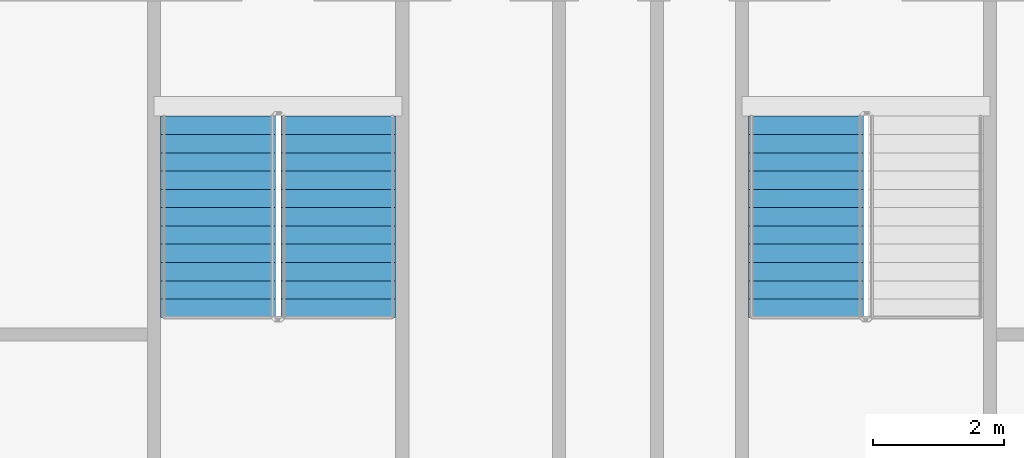
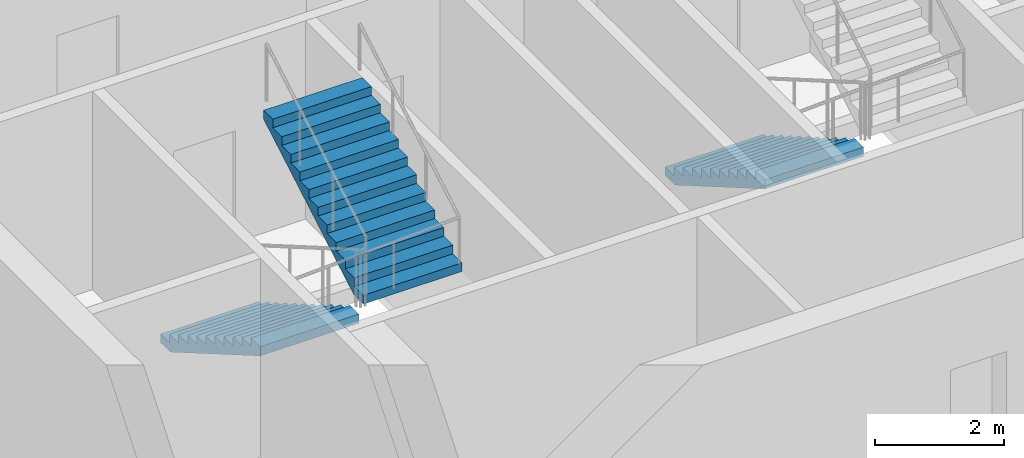
# One storey, part 16 of 23: 3 stair flights, 2 elements without a shape of their own.
"""IFC4 building model written with IfcOpenShell, lengths in metres."""

from ifc_helpers import new_model, si_unit, direction, frame, origin, place, context, subcontext, project, spatial, faceted_brep, material, type_object, element, aggregate, save


model = new_model("IFC4")

# Units and contexts
model_context = context("Model", 3, precision=1e-05, world=origin(), true_north=direction((0.0, 1.0)))
body_context = subcontext(model_context, "Body", "Model", "MODEL_VIEW")
ifc_project = project(units=[si_unit("LENGTHUNIT", "METRE"), si_unit("AREAUNIT", "SQUARE_METRE"), si_unit("VOLUMEUNIT", "CUBIC_METRE"), si_unit("PLANEANGLEUNIT", "RADIAN"), si_unit("MASSUNIT", "GRAM", prefix="KILO")], contexts=[model_context])

# Site, building, storey
site_placement = place(None, origin())
site = spatial("IfcSite", under=ifc_project, at=site_placement, CompositionType="ELEMENT")
building_placement = place(site_placement, origin())
building = spatial("IfcBuilding", under=site, at=building_placement, Name="Tarsis Ring Headquarters", CompositionType="ELEMENT")
storey_placement = place(building_placement, frame((0.0, 0.0, 323.60009765625)))
storey = spatial("IfcBuildingStorey", under=building, at=storey_placement, Name="L76", CompositionType="ELEMENT", Elevation=323.60009765625)

# Stair, stair flights
ifc_material_1 = material(Name="Core stair 1760")
stair_type = type_object("IfcStairType", Name="Core stair 1760", PredefinedType="HALF_TURN_STAIR", material=ifc_material_1)
stair_1_placement = place(storey_placement, origin())
stair_1 = element("IfcStair", 1, at=stair_1_placement, inside=storey, type_object=stair_type, Name="L76 Exit stair C", PredefinedType="HALF_TURN_STAIR")
ifc_material_2 = material(Name="Concrete C40/50", Category="concrete")
stair_flight_type = type_object("IfcStairFlightType", Name="Core stair flight 1760", PredefinedType="STRAIGHT", material=ifc_material_2)
stair_flight_1_placement = place(storey_placement, frame((-5.419921875, -3.659912109375, 0.0), z_axis=(0.0, 0.0, 1.0), x_axis=(0.0, -1.0, 0.0)))
stair_flight_1 = element("IfcStairFlight", 2, at=stair_flight_1_placement, type_object=stair_flight_type, Name="Stair ST3 flight 1", NumberOfRisers=12, NumberOfTreads=11, PredefinedType="STRAIGHT", RiserHeight=0.1625, TreadLength=0.28, context=body_context, shape_type="Brep", body=[
    faceted_brep([(0.0, 0.8798828125, 0.0), (0.0, 0.8798828125, 0.16259765625), (0.280029296875, 0.8798828125, 0.16259765625), (0.280029296875, 0.8798828125, 0.324951171875), (0.56005859375, 0.8798828125, 0.324951171875), (0.56005859375, 0.8798828125, 0.487548828125), (0.840087890625, 0.8798828125, 0.487548828125), (0.840087890625, 0.8798828125, 0.64990234375), (1.1201171875, 0.8798828125, 0.64990234375), (1.1201171875, 0.8798828125, 0.8125), (1.39990234375, 0.8798828125, 0.8125), (1.39990234375, 0.8798828125, 0.97509765625), (1.679931640625, 0.8798828125, 0.97509765625), (1.679931640625, 0.8798828125, 1.137451171875), (1.9599609375, 0.8798828125, 1.137451171875), (1.9599609375, 0.8798828125, 1.300048828125), (2.239990234375, 0.8798828125, 1.300048828125), (2.239990234375, 0.8798828125, 1.46240234375), (2.52001953125, 0.8798828125, 1.46240234375), (2.52001953125, 0.8798828125, 1.625), (2.800048828125, 0.8798828125, 1.625), (2.800048828125, 0.8798828125, 1.78759765625), (3.080078125, 0.8798828125, 1.78759765625), (3.080078125, 0.8798828125, 1.6142578125), (0.298583984375, 0.8798828125, 0.0), (0.298583984375, -0.8798828125, 0.0), (3.080078125, -0.8798828125, 1.6142578125), (3.080078125, -0.8798828125, 1.78759765625), (2.800048828125, -0.8798828125, 1.78759765625), (2.800048828125, -0.8798828125, 1.625), (2.52001953125, -0.8798828125, 1.625), (2.52001953125, -0.8798828125, 1.46240234375), (2.239990234375, -0.8798828125, 1.46240234375), (2.239990234375, -0.8798828125, 1.300048828125), (1.9599609375, -0.8798828125, 1.300048828125), (1.9599609375, -0.8798828125, 1.137451171875), (1.679931640625, -0.8798828125, 1.137451171875), (1.679931640625, -0.8798828125, 0.97509765625), (1.39990234375, -0.8798828125, 0.97509765625), (1.39990234375, -0.8798828125, 0.8125), (1.1201171875, -0.8798828125, 0.8125), (1.1201171875, -0.8798828125, 0.64990234375), (0.840087890625, -0.8798828125, 0.64990234375), (0.840087890625, -0.8798828125, 0.487548828125), (0.56005859375, -0.8798828125, 0.487548828125), (0.56005859375, -0.8798828125, 0.324951171875), (0.280029296875, -0.8798828125, 0.324951171875), (0.280029296875, -0.8798828125, 0.16259765625), (0.0, -0.8798828125, 0.16259765625), (0.0, -0.8798828125, 0.0), (0.0, -0.43994140625, 0.16259765625), (0.0, -0.43994140625, 0.0), (0.0, 0.0, 0.16259765625), (0.0, 0.0, 0.0), (0.0, 0.43994140625, 0.16259765625), (0.0, 0.43994140625, 0.0), (0.280029296875, -0.43994140625, 0.16259765625), (0.280029296875, 0.0, 0.16259765625), (0.280029296875, 0.43994140625, 0.16259765625), (0.280029296875, -0.43994140625, 0.324951171875), (0.280029296875, 0.0, 0.324951171875), (0.280029296875, 0.43994140625, 0.324951171875), (0.56005859375, -0.43994140625, 0.324951171875), (0.56005859375, 0.0, 0.324951171875), (0.56005859375, 0.43994140625, 0.324951171875), (0.56005859375, -0.43994140625, 0.487548828125), (0.56005859375, 0.0, 0.487548828125), (0.56005859375, 0.43994140625, 0.487548828125), (0.840087890625, -0.43994140625, 0.487548828125), (0.840087890625, 0.0, 0.487548828125), (0.840087890625, 0.43994140625, 0.487548828125), (0.840087890625, -0.43994140625, 0.64990234375), (0.840087890625, 0.0, 0.64990234375), (0.840087890625, 0.43994140625, 0.64990234375), (1.1201171875, -0.43994140625, 0.64990234375), (1.1201171875, 0.0, 0.64990234375), (1.1201171875, 0.43994140625, 0.64990234375), (1.1201171875, -0.43994140625, 0.8125), (1.1201171875, 0.0, 0.8125), (1.1201171875, 0.43994140625, 0.8125), (1.39990234375, -0.43994140625, 0.8125), (1.39990234375, 0.0, 0.8125), (1.39990234375, 0.43994140625, 0.8125), (1.39990234375, -0.43994140625, 0.97509765625), (1.39990234375, 0.0, 0.97509765625), (1.39990234375, 0.43994140625, 0.97509765625), (1.679931640625, -0.43994140625, 0.97509765625), (1.679931640625, 0.0, 0.97509765625), (1.679931640625, 0.43994140625, 0.97509765625), (1.679931640625, -0.43994140625, 1.137451171875), (1.679931640625, 0.0, 1.137451171875), (1.679931640625, 0.43994140625, 1.137451171875), (1.9599609375, -0.43994140625, 1.137451171875), (1.9599609375, 0.0, 1.137451171875), (1.9599609375, 0.43994140625, 1.137451171875), (1.9599609375, -0.43994140625, 1.300048828125), (1.9599609375, 0.0, 1.300048828125), (1.9599609375, 0.43994140625, 1.300048828125), (2.239990234375, -0.43994140625, 1.300048828125), (2.239990234375, 0.0, 1.300048828125), (2.239990234375, 0.43994140625, 1.300048828125), (2.239990234375, -0.43994140625, 1.46240234375), (2.239990234375, 0.0, 1.46240234375), (2.239990234375, 0.43994140625, 1.46240234375), (2.52001953125, -0.43994140625, 1.46240234375), (2.52001953125, 0.0, 1.46240234375), (2.52001953125, 0.43994140625, 1.46240234375), (2.52001953125, -0.43994140625, 1.625), (2.52001953125, 0.0, 1.625), (2.52001953125, 0.43994140625, 1.625), (2.800048828125, -0.43994140625, 1.625), (2.800048828125, 0.0, 1.625), (2.800048828125, 0.43994140625, 1.625), (2.800048828125, -0.43994140625, 1.78759765625), (2.800048828125, 0.0, 1.78759765625), (2.800048828125, 0.43994140625, 1.78759765625), (3.080078125, -0.43994140625, 1.78759765625), (3.080078125, 0.0, 1.78759765625), (3.080078125, 0.43994140625, 1.78759765625), (3.080078125, -0.43994140625, 1.6142578125), (3.080078125, 0.0, 1.6142578125), (3.080078125, 0.43994140625, 1.6142578125), (0.298583984375, -0.43994140625, 0.0), (0.298583984375, 0.0, 0.0), (0.298583984375, 0.43994140625, 0.0)], [[[0, 1, 2, 3, 4, 5, 6, 7, 8, 9, 10, 11, 12, 13, 14, 15, 16, 17, 18, 19, 20, 21, 22, 23, 24]], [[25, 26, 27, 28, 29, 30, 31, 32, 33, 34, 35, 36, 37, 38, 39, 40, 41, 42, 43, 44, 45, 46, 47, 48, 49]], [[49, 48, 50, 51]], [[51, 50, 52, 53]], [[53, 52, 54, 55]], [[55, 54, 1, 0]], [[48, 47, 56, 50]], [[50, 56, 57, 52]], [[52, 57, 58, 54]], [[54, 58, 2, 1]], [[47, 46, 59, 56]], [[56, 59, 60, 57]], [[57, 60, 61, 58]], [[58, 61, 3, 2]], [[46, 45, 62, 59]], [[59, 62, 63, 60]], [[60, 63, 64, 61]], [[61, 64, 4, 3]], [[45, 44, 65, 62]], [[62, 65, 66, 63]], [[63, 66, 67, 64]], [[64, 67, 5, 4]], [[44, 43, 68, 65]], [[65, 68, 69, 66]], [[66, 69, 70, 67]], [[67, 70, 6, 5]], [[43, 42, 71, 68]], [[68, 71, 72, 69]], [[69, 72, 73, 70]], [[70, 73, 7, 6]], [[42, 41, 74, 71]], [[71, 74, 75, 72]], [[72, 75, 76, 73]], [[73, 76, 8, 7]], [[41, 40, 77, 74]], [[74, 77, 78, 75]], [[75, 78, 79, 76]], [[76, 79, 9, 8]], [[40, 39, 80, 77]], [[77, 80, 81, 78]], [[78, 81, 82, 79]], [[79, 82, 10, 9]], [[39, 38, 83, 80]], [[80, 83, 84, 81]], [[81, 84, 85, 82]], [[82, 85, 11, 10]], [[38, 37, 86, 83]], [[83, 86, 87, 84]], [[84, 87, 88, 85]], [[85, 88, 12, 11]], [[37, 36, 89, 86]], [[86, 89, 90, 87]], [[87, 90, 91, 88]], [[88, 91, 13, 12]], [[36, 35, 92, 89]], [[89, 92, 93, 90]], [[90, 93, 94, 91]], [[91, 94, 14, 13]], [[35, 34, 95, 92]], [[92, 95, 96, 93]], [[93, 96, 97, 94]], [[94, 97, 15, 14]], [[34, 33, 98, 95]], [[95, 98, 99, 96]], [[96, 99, 100, 97]], [[97, 100, 16, 15]], [[33, 32, 101, 98]], [[98, 101, 102, 99]], [[99, 102, 103, 100]], [[100, 103, 17, 16]], [[32, 31, 104, 101]], [[101, 104, 105, 102]], [[102, 105, 106, 103]], [[103, 106, 18, 17]], [[31, 30, 107, 104]], [[104, 107, 108, 105]], [[105, 108, 109, 106]], [[106, 109, 19, 18]], [[30, 29, 110, 107]], [[107, 110, 111, 108]], [[108, 111, 112, 109]], [[109, 112, 20, 19]], [[29, 28, 113, 110]], [[110, 113, 114, 111]], [[111, 114, 115, 112]], [[112, 115, 21, 20]], [[28, 27, 116, 113]], [[113, 116, 117, 114]], [[114, 117, 118, 115]], [[115, 118, 22, 21]], [[27, 26, 119, 116]], [[116, 119, 120, 117]], [[117, 120, 121, 118]], [[118, 121, 23, 22]], [[26, 25, 122, 119]], [[119, 122, 123, 120]], [[120, 123, 124, 121]], [[121, 124, 24, 23]], [[25, 49, 51, 122]], [[122, 51, 53, 123]], [[123, 53, 55, 124]], [[124, 55, 0, 24]]]),
])
stair_flight_2_placement = place(storey_placement, frame((-3.580078125, -6.739990234375, 1.949951171875), z_axis=(0.0, 0.0, 1.0), x_axis=(0.0, 1.0, 0.0)))
stair_flight_2 = element("IfcStairFlight", 3, at=stair_flight_2_placement, type_object=stair_flight_type, Name="Stair ST3 flight 2", NumberOfRisers=12, NumberOfTreads=11, PredefinedType="STRAIGHT", RiserHeight=0.1625, TreadLength=0.28, context=body_context, shape_type="Brep", body=[
    faceted_brep([(0.0, 0.8798828125, 0.0), (0.0, 0.8798828125, 0.16259765625), (0.280029296875, 0.8798828125, 0.16259765625), (0.280029296875, 0.8798828125, 0.324951171875), (0.56005859375, 0.8798828125, 0.324951171875), (0.56005859375, 0.8798828125, 0.487548828125), (0.840087890625, 0.8798828125, 0.487548828125), (0.840087890625, 0.8798828125, 0.64990234375), (1.1201171875, 0.8798828125, 0.64990234375), (1.1201171875, 0.8798828125, 0.8125), (1.39990234375, 0.8798828125, 0.8125), (1.39990234375, 0.8798828125, 0.97509765625), (1.679931640625, 0.8798828125, 0.97509765625), (1.679931640625, 0.8798828125, 1.137451171875), (1.9599609375, 0.8798828125, 1.137451171875), (1.9599609375, 0.8798828125, 1.300048828125), (2.239990234375, 0.8798828125, 1.300048828125), (2.239990234375, 0.8798828125, 1.46240234375), (2.52001953125, 0.8798828125, 1.46240234375), (2.52001953125, 0.8798828125, 1.625), (2.800048828125, 0.8798828125, 1.625), (2.800048828125, 0.8798828125, 1.78759765625), (3.080078125, 0.8798828125, 1.78759765625), (3.080078125, 0.8798828125, 1.6142578125), (0.298583984375, 0.8798828125, 0.0), (0.298583984375, -0.8798828125, 0.0), (3.080078125, -0.8798828125, 1.6142578125), (3.080078125, -0.8798828125, 1.78759765625), (2.800048828125, -0.8798828125, 1.78759765625), (2.800048828125, -0.8798828125, 1.625), (2.52001953125, -0.8798828125, 1.625), (2.52001953125, -0.8798828125, 1.46240234375), (2.239990234375, -0.8798828125, 1.46240234375), (2.239990234375, -0.8798828125, 1.300048828125), (1.9599609375, -0.8798828125, 1.300048828125), (1.9599609375, -0.8798828125, 1.137451171875), (1.679931640625, -0.8798828125, 1.137451171875), (1.679931640625, -0.8798828125, 0.97509765625), (1.39990234375, -0.8798828125, 0.97509765625), (1.39990234375, -0.8798828125, 0.8125), (1.1201171875, -0.8798828125, 0.8125), (1.1201171875, -0.8798828125, 0.64990234375), (0.840087890625, -0.8798828125, 0.64990234375), (0.840087890625, -0.8798828125, 0.487548828125), (0.56005859375, -0.8798828125, 0.487548828125), (0.56005859375, -0.8798828125, 0.324951171875), (0.280029296875, -0.8798828125, 0.324951171875), (0.280029296875, -0.8798828125, 0.16259765625), (0.0, -0.8798828125, 0.16259765625), (0.0, -0.8798828125, 0.0), (0.0, -0.43994140625, 0.16259765625), (0.0, -0.43994140625, 0.0), (0.0, 0.0, 0.16259765625), (0.0, 0.0, 0.0), (0.0, 0.43994140625, 0.16259765625), (0.0, 0.43994140625, 0.0), (0.280029296875, -0.43994140625, 0.16259765625), (0.280029296875, 0.0, 0.16259765625), (0.280029296875, 0.43994140625, 0.16259765625), (0.280029296875, -0.43994140625, 0.324951171875), (0.280029296875, 0.0, 0.324951171875), (0.280029296875, 0.43994140625, 0.324951171875), (0.56005859375, -0.43994140625, 0.324951171875), (0.56005859375, 0.0, 0.324951171875), (0.56005859375, 0.43994140625, 0.324951171875), (0.56005859375, -0.43994140625, 0.487548828125), (0.56005859375, 0.0, 0.487548828125), (0.56005859375, 0.43994140625, 0.487548828125), (0.840087890625, -0.43994140625, 0.487548828125), (0.840087890625, 0.0, 0.487548828125), (0.840087890625, 0.43994140625, 0.487548828125), (0.840087890625, -0.43994140625, 0.64990234375), (0.840087890625, 0.0, 0.64990234375), (0.840087890625, 0.43994140625, 0.64990234375), (1.1201171875, -0.43994140625, 0.64990234375), (1.1201171875, 0.0, 0.64990234375), (1.1201171875, 0.43994140625, 0.64990234375), (1.1201171875, -0.43994140625, 0.8125), (1.1201171875, 0.0, 0.8125), (1.1201171875, 0.43994140625, 0.8125), (1.39990234375, -0.43994140625, 0.8125), (1.39990234375, 0.0, 0.8125), (1.39990234375, 0.43994140625, 0.8125), (1.39990234375, -0.43994140625, 0.97509765625), (1.39990234375, 0.0, 0.97509765625), (1.39990234375, 0.43994140625, 0.97509765625), (1.679931640625, -0.43994140625, 0.97509765625), (1.679931640625, 0.0, 0.97509765625), (1.679931640625, 0.43994140625, 0.97509765625), (1.679931640625, -0.43994140625, 1.137451171875), (1.679931640625, 0.0, 1.137451171875), (1.679931640625, 0.43994140625, 1.137451171875), (1.9599609375, -0.43994140625, 1.137451171875), (1.9599609375, 0.0, 1.137451171875), (1.9599609375, 0.43994140625, 1.137451171875), (1.9599609375, -0.43994140625, 1.300048828125), (1.9599609375, 0.0, 1.300048828125), (1.9599609375, 0.43994140625, 1.300048828125), (2.239990234375, -0.43994140625, 1.300048828125), (2.239990234375, 0.0, 1.300048828125), (2.239990234375, 0.43994140625, 1.300048828125), (2.239990234375, -0.43994140625, 1.46240234375), (2.239990234375, 0.0, 1.46240234375), (2.239990234375, 0.43994140625, 1.46240234375), (2.52001953125, -0.43994140625, 1.46240234375), (2.52001953125, 0.0, 1.46240234375), (2.52001953125, 0.43994140625, 1.46240234375), (2.52001953125, -0.43994140625, 1.625), (2.52001953125, 0.0, 1.625), (2.52001953125, 0.43994140625, 1.625), (2.800048828125, -0.43994140625, 1.625), (2.800048828125, 0.0, 1.625), (2.800048828125, 0.43994140625, 1.625), (2.800048828125, -0.43994140625, 1.78759765625), (2.800048828125, 0.0, 1.78759765625), (2.800048828125, 0.43994140625, 1.78759765625), (3.080078125, -0.43994140625, 1.78759765625), (3.080078125, 0.0, 1.78759765625), (3.080078125, 0.43994140625, 1.78759765625), (3.080078125, -0.43994140625, 1.6142578125), (3.080078125, 0.0, 1.6142578125), (3.080078125, 0.43994140625, 1.6142578125), (0.298583984375, -0.43994140625, 0.0), (0.298583984375, 0.0, 0.0), (0.298583984375, 0.43994140625, 0.0)], [[[0, 1, 2, 3, 4, 5, 6, 7, 8, 9, 10, 11, 12, 13, 14, 15, 16, 17, 18, 19, 20, 21, 22, 23, 24]], [[25, 26, 27, 28, 29, 30, 31, 32, 33, 34, 35, 36, 37, 38, 39, 40, 41, 42, 43, 44, 45, 46, 47, 48, 49]], [[49, 48, 50, 51]], [[51, 50, 52, 53]], [[53, 52, 54, 55]], [[55, 54, 1, 0]], [[48, 47, 56, 50]], [[50, 56, 57, 52]], [[52, 57, 58, 54]], [[54, 58, 2, 1]], [[47, 46, 59, 56]], [[56, 59, 60, 57]], [[57, 60, 61, 58]], [[58, 61, 3, 2]], [[46, 45, 62, 59]], [[59, 62, 63, 60]], [[60, 63, 64, 61]], [[61, 64, 4, 3]], [[45, 44, 65, 62]], [[62, 65, 66, 63]], [[63, 66, 67, 64]], [[64, 67, 5, 4]], [[44, 43, 68, 65]], [[65, 68, 69, 66]], [[66, 69, 70, 67]], [[67, 70, 6, 5]], [[43, 42, 71, 68]], [[68, 71, 72, 69]], [[69, 72, 73, 70]], [[70, 73, 7, 6]], [[42, 41, 74, 71]], [[71, 74, 75, 72]], [[72, 75, 76, 73]], [[73, 76, 8, 7]], [[41, 40, 77, 74]], [[74, 77, 78, 75]], [[75, 78, 79, 76]], [[76, 79, 9, 8]], [[40, 39, 80, 77]], [[77, 80, 81, 78]], [[78, 81, 82, 79]], [[79, 82, 10, 9]], [[39, 38, 83, 80]], [[80, 83, 84, 81]], [[81, 84, 85, 82]], [[82, 85, 11, 10]], [[38, 37, 86, 83]], [[83, 86, 87, 84]], [[84, 87, 88, 85]], [[85, 88, 12, 11]], [[37, 36, 89, 86]], [[86, 89, 90, 87]], [[87, 90, 91, 88]], [[88, 91, 13, 12]], [[36, 35, 92, 89]], [[89, 92, 93, 90]], [[90, 93, 94, 91]], [[91, 94, 14, 13]], [[35, 34, 95, 92]], [[92, 95, 96, 93]], [[93, 96, 97, 94]], [[94, 97, 15, 14]], [[34, 33, 98, 95]], [[95, 98, 99, 96]], [[96, 99, 100, 97]], [[97, 100, 16, 15]], [[33, 32, 101, 98]], [[98, 101, 102, 99]], [[99, 102, 103, 100]], [[100, 103, 17, 16]], [[32, 31, 104, 101]], [[101, 104, 105, 102]], [[102, 105, 106, 103]], [[103, 106, 18, 17]], [[31, 30, 107, 104]], [[104, 107, 108, 105]], [[105, 108, 109, 106]], [[106, 109, 19, 18]], [[30, 29, 110, 107]], [[107, 110, 111, 108]], [[108, 111, 112, 109]], [[109, 112, 20, 19]], [[29, 28, 113, 110]], [[110, 113, 114, 111]], [[111, 114, 115, 112]], [[112, 115, 21, 20]], [[28, 27, 116, 113]], [[113, 116, 117, 114]], [[114, 117, 118, 115]], [[115, 118, 22, 21]], [[27, 26, 119, 116]], [[116, 119, 120, 117]], [[117, 120, 121, 118]], [[118, 121, 23, 22]], [[26, 25, 122, 119]], [[119, 122, 123, 120]], [[120, 123, 124, 121]], [[121, 124, 24, 23]], [[25, 49, 51, 122]], [[122, 51, 53, 123]], [[123, 53, 55, 124]], [[124, 55, 0, 24]]]),
])
aggregate(stair_1, [stair_flight_1, stair_flight_2])

# Stair, stair flight
stair_2_placement = place(storey_placement, origin())
stair_2 = element("IfcStair", 4, at=stair_2_placement, inside=storey, type_object=stair_type, Name="L76 Exit stair D", PredefinedType="HALF_TURN_STAIR")
stair_flight_3_placement = place(storey_placement, frame((3.580078125, -3.659912109375, 0.0), z_axis=(0.0, 0.0, 1.0), x_axis=(0.0, -1.0, 0.0)))
stair_flight_3 = element("IfcStairFlight", 5, at=stair_flight_3_placement, type_object=stair_flight_type, Name="Stair ST4 flight 1", NumberOfRisers=12, NumberOfTreads=11, PredefinedType="STRAIGHT", RiserHeight=0.1625, TreadLength=0.28, context=body_context, shape_type="Brep", body=[
    faceted_brep([(0.0, 0.8798828125, 0.0), (0.0, 0.8798828125, 0.16259765625), (0.280029296875, 0.8798828125, 0.16259765625), (0.280029296875, 0.8798828125, 0.324951171875), (0.56005859375, 0.8798828125, 0.324951171875), (0.56005859375, 0.8798828125, 0.487548828125), (0.840087890625, 0.8798828125, 0.487548828125), (0.840087890625, 0.8798828125, 0.64990234375), (1.1201171875, 0.8798828125, 0.64990234375), (1.1201171875, 0.8798828125, 0.8125), (1.39990234375, 0.8798828125, 0.8125), (1.39990234375, 0.8798828125, 0.97509765625), (1.679931640625, 0.8798828125, 0.97509765625), (1.679931640625, 0.8798828125, 1.137451171875), (1.9599609375, 0.8798828125, 1.137451171875), (1.9599609375, 0.8798828125, 1.300048828125), (2.239990234375, 0.8798828125, 1.300048828125), (2.239990234375, 0.8798828125, 1.46240234375), (2.52001953125, 0.8798828125, 1.46240234375), (2.52001953125, 0.8798828125, 1.625), (2.800048828125, 0.8798828125, 1.625), (2.800048828125, 0.8798828125, 1.78759765625), (3.080078125, 0.8798828125, 1.78759765625), (3.080078125, 0.8798828125, 1.6142578125), (0.298583984375, 0.8798828125, 0.0), (0.298583984375, -0.8798828125, 0.0), (3.080078125, -0.8798828125, 1.6142578125), (3.080078125, -0.8798828125, 1.78759765625), (2.800048828125, -0.8798828125, 1.78759765625), (2.800048828125, -0.8798828125, 1.625), (2.52001953125, -0.8798828125, 1.625), (2.52001953125, -0.8798828125, 1.46240234375), (2.239990234375, -0.8798828125, 1.46240234375), (2.239990234375, -0.8798828125, 1.300048828125), (1.9599609375, -0.8798828125, 1.300048828125), (1.9599609375, -0.8798828125, 1.137451171875), (1.679931640625, -0.8798828125, 1.137451171875), (1.679931640625, -0.8798828125, 0.97509765625), (1.39990234375, -0.8798828125, 0.97509765625), (1.39990234375, -0.8798828125, 0.8125), (1.1201171875, -0.8798828125, 0.8125), (1.1201171875, -0.8798828125, 0.64990234375), (0.840087890625, -0.8798828125, 0.64990234375), (0.840087890625, -0.8798828125, 0.487548828125), (0.56005859375, -0.8798828125, 0.487548828125), (0.56005859375, -0.8798828125, 0.324951171875), (0.280029296875, -0.8798828125, 0.324951171875), (0.280029296875, -0.8798828125, 0.16259765625), (0.0, -0.8798828125, 0.16259765625), (0.0, -0.8798828125, 0.0), (0.0, -0.43994140625, 0.16259765625), (0.0, -0.43994140625, 0.0), (0.0, 0.0, 0.16259765625), (0.0, 0.0, 0.0), (0.0, 0.43994140625, 0.16259765625), (0.0, 0.43994140625, 0.0), (0.280029296875, -0.43994140625, 0.16259765625), (0.280029296875, 0.0, 0.16259765625), (0.280029296875, 0.43994140625, 0.16259765625), (0.280029296875, -0.43994140625, 0.324951171875), (0.280029296875, 0.0, 0.324951171875), (0.280029296875, 0.43994140625, 0.324951171875), (0.56005859375, -0.43994140625, 0.324951171875), (0.56005859375, 0.0, 0.324951171875), (0.56005859375, 0.43994140625, 0.324951171875), (0.56005859375, -0.43994140625, 0.487548828125), (0.56005859375, 0.0, 0.487548828125), (0.56005859375, 0.43994140625, 0.487548828125), (0.840087890625, -0.43994140625, 0.487548828125), (0.840087890625, 0.0, 0.487548828125), (0.840087890625, 0.43994140625, 0.487548828125), (0.840087890625, -0.43994140625, 0.64990234375), (0.840087890625, 0.0, 0.64990234375), (0.840087890625, 0.43994140625, 0.64990234375), (1.1201171875, -0.43994140625, 0.64990234375), (1.1201171875, 0.0, 0.64990234375), (1.1201171875, 0.43994140625, 0.64990234375), (1.1201171875, -0.43994140625, 0.8125), (1.1201171875, 0.0, 0.8125), (1.1201171875, 0.43994140625, 0.8125), (1.39990234375, -0.43994140625, 0.8125), (1.39990234375, 0.0, 0.8125), (1.39990234375, 0.43994140625, 0.8125), (1.39990234375, -0.43994140625, 0.97509765625), (1.39990234375, 0.0, 0.97509765625), (1.39990234375, 0.43994140625, 0.97509765625), (1.679931640625, -0.43994140625, 0.97509765625), (1.679931640625, 0.0, 0.97509765625), (1.679931640625, 0.43994140625, 0.97509765625), (1.679931640625, -0.43994140625, 1.137451171875), (1.679931640625, 0.0, 1.137451171875), (1.679931640625, 0.43994140625, 1.137451171875), (1.9599609375, -0.43994140625, 1.137451171875), (1.9599609375, 0.0, 1.137451171875), (1.9599609375, 0.43994140625, 1.137451171875), (1.9599609375, -0.43994140625, 1.300048828125), (1.9599609375, 0.0, 1.300048828125), (1.9599609375, 0.43994140625, 1.300048828125), (2.239990234375, -0.43994140625, 1.300048828125), (2.239990234375, 0.0, 1.300048828125), (2.239990234375, 0.43994140625, 1.300048828125), (2.239990234375, -0.43994140625, 1.46240234375), (2.239990234375, 0.0, 1.46240234375), (2.239990234375, 0.43994140625, 1.46240234375), (2.52001953125, -0.43994140625, 1.46240234375), (2.52001953125, 0.0, 1.46240234375), (2.52001953125, 0.43994140625, 1.46240234375), (2.52001953125, -0.43994140625, 1.625), (2.52001953125, 0.0, 1.625), (2.52001953125, 0.43994140625, 1.625), (2.800048828125, -0.43994140625, 1.625), (2.800048828125, 0.0, 1.625), (2.800048828125, 0.43994140625, 1.625), (2.800048828125, -0.43994140625, 1.78759765625), (2.800048828125, 0.0, 1.78759765625), (2.800048828125, 0.43994140625, 1.78759765625), (3.080078125, -0.43994140625, 1.78759765625), (3.080078125, 0.0, 1.78759765625), (3.080078125, 0.43994140625, 1.78759765625), (3.080078125, -0.43994140625, 1.6142578125), (3.080078125, 0.0, 1.6142578125), (3.080078125, 0.43994140625, 1.6142578125), (0.298583984375, -0.43994140625, 0.0), (0.298583984375, 0.0, 0.0), (0.298583984375, 0.43994140625, 0.0)], [[[0, 1, 2, 3, 4, 5, 6, 7, 8, 9, 10, 11, 12, 13, 14, 15, 16, 17, 18, 19, 20, 21, 22, 23, 24]], [[25, 26, 27, 28, 29, 30, 31, 32, 33, 34, 35, 36, 37, 38, 39, 40, 41, 42, 43, 44, 45, 46, 47, 48, 49]], [[49, 48, 50, 51]], [[51, 50, 52, 53]], [[53, 52, 54, 55]], [[55, 54, 1, 0]], [[48, 47, 56, 50]], [[50, 56, 57, 52]], [[52, 57, 58, 54]], [[54, 58, 2, 1]], [[47, 46, 59, 56]], [[56, 59, 60, 57]], [[57, 60, 61, 58]], [[58, 61, 3, 2]], [[46, 45, 62, 59]], [[59, 62, 63, 60]], [[60, 63, 64, 61]], [[61, 64, 4, 3]], [[45, 44, 65, 62]], [[62, 65, 66, 63]], [[63, 66, 67, 64]], [[64, 67, 5, 4]], [[44, 43, 68, 65]], [[65, 68, 69, 66]], [[66, 69, 70, 67]], [[67, 70, 6, 5]], [[43, 42, 71, 68]], [[68, 71, 72, 69]], [[69, 72, 73, 70]], [[70, 73, 7, 6]], [[42, 41, 74, 71]], [[71, 74, 75, 72]], [[72, 75, 76, 73]], [[73, 76, 8, 7]], [[41, 40, 77, 74]], [[74, 77, 78, 75]], [[75, 78, 79, 76]], [[76, 79, 9, 8]], [[40, 39, 80, 77]], [[77, 80, 81, 78]], [[78, 81, 82, 79]], [[79, 82, 10, 9]], [[39, 38, 83, 80]], [[80, 83, 84, 81]], [[81, 84, 85, 82]], [[82, 85, 11, 10]], [[38, 37, 86, 83]], [[83, 86, 87, 84]], [[84, 87, 88, 85]], [[85, 88, 12, 11]], [[37, 36, 89, 86]], [[86, 89, 90, 87]], [[87, 90, 91, 88]], [[88, 91, 13, 12]], [[36, 35, 92, 89]], [[89, 92, 93, 90]], [[90, 93, 94, 91]], [[91, 94, 14, 13]], [[35, 34, 95, 92]], [[92, 95, 96, 93]], [[93, 96, 97, 94]], [[94, 97, 15, 14]], [[34, 33, 98, 95]], [[95, 98, 99, 96]], [[96, 99, 100, 97]], [[97, 100, 16, 15]], [[33, 32, 101, 98]], [[98, 101, 102, 99]], [[99, 102, 103, 100]], [[100, 103, 17, 16]], [[32, 31, 104, 101]], [[101, 104, 105, 102]], [[102, 105, 106, 103]], [[103, 106, 18, 17]], [[31, 30, 107, 104]], [[104, 107, 108, 105]], [[105, 108, 109, 106]], [[106, 109, 19, 18]], [[30, 29, 110, 107]], [[107, 110, 111, 108]], [[108, 111, 112, 109]], [[109, 112, 20, 19]], [[29, 28, 113, 110]], [[110, 113, 114, 111]], [[111, 114, 115, 112]], [[112, 115, 21, 20]], [[28, 27, 116, 113]], [[113, 116, 117, 114]], [[114, 117, 118, 115]], [[115, 118, 22, 21]], [[27, 26, 119, 116]], [[116, 119, 120, 117]], [[117, 120, 121, 118]], [[118, 121, 23, 22]], [[26, 25, 122, 119]], [[119, 122, 123, 120]], [[120, 123, 124, 121]], [[121, 124, 24, 23]], [[25, 49, 51, 122]], [[122, 51, 53, 123]], [[123, 53, 55, 124]], [[124, 55, 0, 24]]]),
])
aggregate(stair_2, [stair_flight_3])

save(model, "model.ifc")
